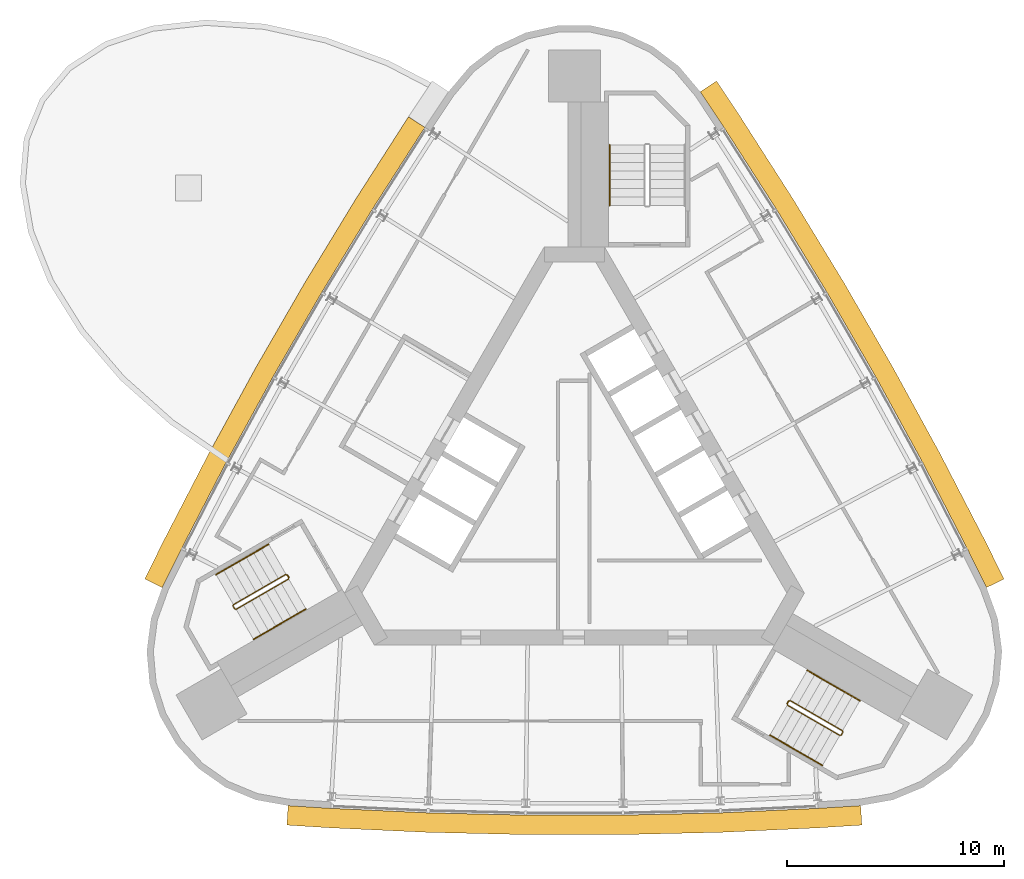
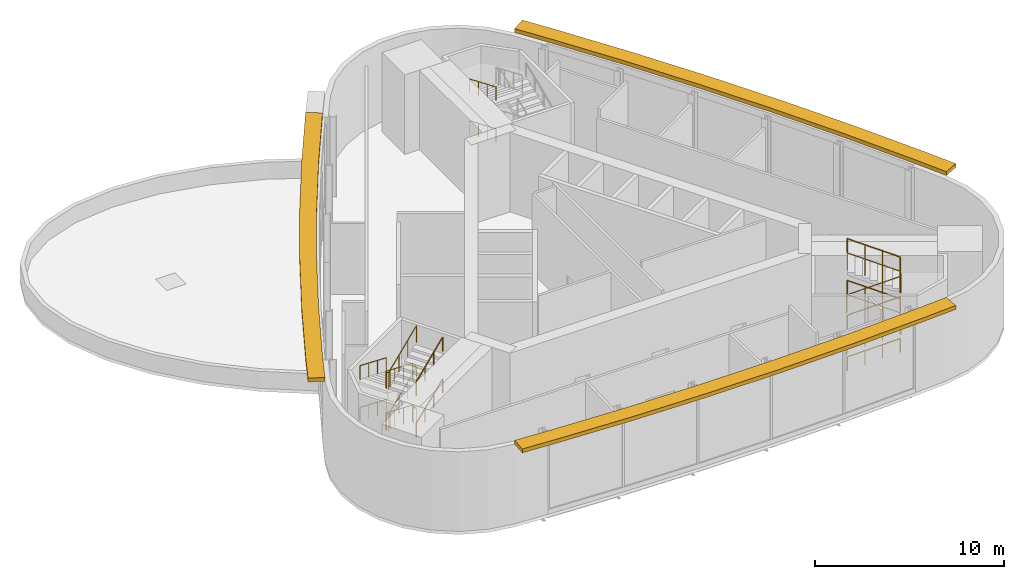
# One storey, part 7 of 8: 12 railings, 3 shading devices.
"""IFC4 building model written with IfcOpenShell, lengths in metres."""

from ifc_helpers import new_model, si_unit, direction, frame, origin, origin_2d, place, context, subcontext, project, spatial, polyline, circle, outline, extrude, material, type_object, element, save


model = new_model("IFC4")

# Units and contexts
model_context = context("Model", 3, precision=1e-05, world=origin(), true_north=direction((0.0, 1.0)))
body_context = subcontext(model_context, "Body", "Model", "MODEL_VIEW")
ifc_project = project(units=[si_unit("LENGTHUNIT", "METRE"), si_unit("AREAUNIT", "SQUARE_METRE"), si_unit("VOLUMEUNIT", "CUBIC_METRE"), si_unit("PLANEANGLEUNIT", "RADIAN"), si_unit("MASSUNIT", "GRAM", prefix="KILO")], contexts=[model_context])

# Site, building, storey
site_placement = place(None, origin())
site = spatial("IfcSite", under=ifc_project, at=site_placement, CompositionType="ELEMENT")
building_placement = place(site_placement, origin())
building = spatial("IfcBuilding", under=site, at=building_placement, Name="Noor Cloister Tower", CompositionType="ELEMENT")
storey_placement = place(building_placement, frame((0.0, 0.0, 274.199951171875)))
storey = spatial("IfcBuildingStorey", under=building, at=storey_placement, Name="L70", CompositionType="ELEMENT", Elevation=274.199951171875)

# Shading devices
ifc_material_1 = material(Name="Limestone", Category="masonry")
shading_device_type = type_object("IfcShadingDeviceType", Name="SUNSHADE limestone band 900", PredefinedType="USERDEFINED", material=ifc_material_1)
shading_device_1_placement = place(storey_placement, frame((0.0, 0.0, 5.150146484375)))
element("IfcShadingDevice", 1, at=shading_device_1_placement, inside=storey, type_object=shading_device_type, Name="SUNSHADE L70 1", ObjectType="SUNSHADE", PredefinedType="USERDEFINED", context=body_context, shape_type="SweptSolid", body=[
    extrude(outline(polyline([(-7.658935546875, 17.453125), (-10.0927734375, 13.656005859375), (-12.443359375, 9.794189453125), (-14.703857421875, 5.879150390625), (-16.872802734375, 1.91259765625), (-18.947998046875, -2.100341796875), (-19.827392578125, -3.873291015625), (-19.021240234375, -4.2734375), (-18.14501953125, -2.507080078125), (-16.078125, 1.489990234375), (-13.919189453125, 5.438232421875), (-11.669189453125, 9.335205078125), (-9.32958984375, 13.178955078125), (-6.9013671875, 16.967529296875), (-7.658935546875, 17.453125)])), origin(), (0.0, 0.0, 1.0), 0.25),
])
shading_device_2_placement = place(storey_placement, frame((0.0, 0.0, 5.150146484375)))
element("IfcShadingDevice", 2, at=shading_device_2_placement, inside=storey, type_object=shading_device_type, Name="SUNSHADE L70 2", ObjectType="SUNSHADE", PredefinedType="USERDEFINED", context=body_context, shape_type="SweptSolid", body=[
    extrude(outline(polyline([(-13.268310546875, -15.234375), (-11.29296875, -15.359130859375), (-6.780029296875, -15.568603515625), (-2.260498046875, -15.673583984375), (2.260498046875, -15.673583984375), (6.780029296875, -15.568603515625), (11.29296875, -15.359130859375), (13.268310546875, -15.234375), (13.21142578125, -14.336181640625), (11.24365234375, -14.46044921875), (6.74853515625, -14.669189453125), (2.25, -14.7734375), (-2.25, -14.7734375), (-6.74853515625, -14.669189453125), (-11.24365234375, -14.46044921875), (-13.21142578125, -14.336181640625), (-13.268310546875, -15.234375)])), origin(), (0.0, 0.0, 1.0), 0.25),
])
shading_device_3_placement = place(storey_placement, frame((0.0, 0.0, 5.150146484375)))
element("IfcShadingDevice", 3, at=shading_device_3_placement, inside=storey, type_object=shading_device_type, Name="SUNSHADE L70 3", ObjectType="SUNSHADE", PredefinedType="USERDEFINED", context=body_context, shape_type="SweptSolid", body=[
    extrude(outline(polyline([(19.827392578125, -3.873291015625), (18.947998046875, -2.100341796875), (16.872802734375, 1.91259765625), (14.703857421875, 5.879150390625), (12.443359375, 9.794189453125), (10.0927734375, 13.656005859375), (7.655029296875, 17.45947265625), (6.559326171875, 19.10791015625), (5.809814453125, 18.609619140625), (6.9013671875, 16.967529296875), (9.32958984375, 13.178955078125), (11.669189453125, 9.335205078125), (13.919189453125, 5.438232421875), (16.078125, 1.489990234375), (18.14501953125, -2.507080078125), (19.021240234375, -4.2734375), (19.827392578125, -3.873291015625)])), origin(), (0.0, 0.0, 1.0), 0.25),
])

# Railings
ifc_material_2 = material(Name="Stainless steel", Category="steel")
railing_type_1 = type_object("IfcRailingType", Name="Stair guard 1100", PredefinedType="GUARDRAIL", material=ifc_material_2)
railing_1_placement = place(storey_placement, frame((-13.241455078125, -3.677734375, 0.0)))
element("IfcRailing", 4, at=railing_1_placement, inside=storey, type_object=railing_type_1, Name="Stair guard ST2 L70", PredefinedType="GUARDRAIL", context=body_context, shape_type="SweptSolid", body=[
    extrude(circle(Radius=0.02392578125, at=origin_2d()), frame((0.0, 0.0, 1.076171875), z_axis=(0.499112439033, -0.866537231285, 0.0), x_axis=(0.866537231285, 0.499112439033, 0.0)), (0.0, 0.0, 1.0), 0.150146484375),
    extrude(circle(Radius=0.02392578125, at=origin_2d()), frame((0.074951171875, -0.130126953125, 1.076171875), z_axis=(-0.537989232676, 0.556319359854, 0.633305894001), x_axis=(-0.718850276695, -0.695164929852, 0.0)), (0.0, 0.0, 1.0), 0.266357421875),
    extrude(circle(Radius=0.02392578125, at=origin_2d()), frame((-0.068359375, 0.01806640625, 1.24462890625), z_axis=(-0.797913686838, -0.460656169989, 0.388753959989), x_axis=(0.49998411664, -0.866034573852, 0.0)), (0.0, 0.0, 1.0), 3.038818359375),
    extrude(circle(Radius=0.02392578125, at=origin_2d()), frame((-2.4931640625, -1.3818359375, 2.42626953125), z_axis=(-0.258736085224, -0.965948051503, 0.0), x_axis=(0.965948051503, -0.258736085224, 0.0)), (0.0, 0.0, 1.0), 0.07080078125),
    extrude(circle(Radius=0.02392578125, at=origin_2d()), frame((-2.511474609375, -1.4501953125, 2.42626953125), z_axis=(0.499816412211, -0.866131372301, 0.0), x_axis=(0.866131372301, 0.499816412211, 0.0)), (0.0, 0.0, 1.0), 0.14990234375),
    extrude(circle(Radius=0.02392578125, at=origin_2d()), frame((-2.4365234375, -1.580078125, 2.42626953125), z_axis=(0.373663631894, -0.100088472829, 0.922148462996), x_axis=(0.258736085224, 0.965948051503, 0.0)), (0.0, 0.0, 1.0), 0.182861328125),
    extrude(circle(Radius=0.02392578125, at=origin_2d()), frame((-2.3681640625, -1.598388671875, 2.5947265625), z_axis=(0.797909072615, 0.460733843279, 0.388671374679), x_axis=(-0.500049511043, 0.865996816683, 0.0)), (0.0, 0.0, 1.0), 3.0390625),
    extrude(circle(Radius=0.02392578125, at=origin_2d()), frame((0.056640625, -0.1982421875, 3.77587890625), z_axis=(-0.274721127897, 0.961523947641, 0.0), x_axis=(-0.961523947641, -0.274721127897, 0.0)), (0.0, 0.0, 1.0), 0.2060546875),
    extrude(circle(Radius=0.02392578125, at=origin_2d()), frame((0.0, 0.0, 3.77587890625), z_axis=(0.499112439033, -0.866537231285, 0.0), x_axis=(0.866537231285, 0.499112439033, 0.0)), (0.0, 0.0, 1.0), 0.150146484375),
    extrude(circle(Radius=0.02392578125, at=origin_2d()), frame((0.074951171875, -0.130126953125, 3.77587890625), z_axis=(-0.537677014239, 0.55599650365, 0.633854333651), x_axis=(-0.718850276695, -0.695164929852, 0.0)), (0.0, 0.0, 1.0), 0.2666015625),
    extrude(circle(Radius=0.02392578125, at=origin_2d()), frame((-0.068359375, 0.01806640625, 3.94482421875), z_axis=(-0.79793860554, -0.460670556199, 0.388685760532), x_axis=(0.49998411664, -0.866034573852, 0.0)), (0.0, 0.0, 1.0), 3.038818359375),
    extrude(circle(Radius=0.02392578125, at=origin_2d()), frame((-2.4931640625, -1.3818359375, 5.1259765625), z_axis=(-0.258736085224, -0.965948051503, 0.0), x_axis=(0.965948051503, -0.258736085224, 0.0)), (0.0, 0.0, 1.0), 0.07080078125),
    extrude(circle(Radius=0.02392578125, at=origin_2d()), frame((-2.511474609375, -1.4501953125, 5.1259765625), z_axis=(0.499816412211, -0.866131372301, 0.0), x_axis=(0.866131372301, 0.499816412211, 0.0)), (0.0, 0.0, 1.0), 0.14990234375),
    extrude(circle(Radius=0.02392578125, at=origin_2d()), frame((-2.4365234375, -1.580078125, 5.1259765625), z_axis=(0.373663631894, -0.100088472829, 0.922148462996), x_axis=(0.258736085224, 0.965948051503, 0.0)), (0.0, 0.0, 1.0), 0.182861328125),
    extrude(circle(Radius=0.02392578125, at=origin_2d()), frame((-2.3681640625, -1.598388671875, 5.294921875), z_axis=(0.79788415668, 0.460719456158, 0.388739572511), x_axis=(-0.500049511043, 0.865996816683, 0.0)), (0.0, 0.0, 1.0), 3.0390625),
    extrude(circle(Radius=0.02099609375, at=origin_2d()), origin(), (0.0, 0.0, 1.0), 1.052001953125),
    extrude(circle(Radius=0.02099609375, at=origin_2d()), frame((0.074951171875, -0.130126953125, 0.0)), (0.0, 0.0, 1.0), 1.052001953125),
    extrude(circle(Radius=0.02099609375, at=origin_2d()), frame((-0.068359375, 0.01806640625, 0.168701171875)), (0.0, 0.0, 1.0), 1.052001953125),
    extrude(circle(Radius=0.02099609375, at=origin_2d()), frame((-0.876708984375, -0.448486328125, 0.5625)), (0.0, 0.0, 1.0), 1.052001953125),
    extrude(circle(Radius=0.02099609375, at=origin_2d()), frame((-1.684814453125, -0.915283203125, 0.956298828125)), (0.0, 0.0, 1.0), 1.052001953125),
    extrude(circle(Radius=0.02099609375, at=origin_2d()), frame((-2.4931640625, -1.3818359375, 1.35009765625)), (0.0, 0.0, 1.0), 1.052001953125),
    extrude(circle(Radius=0.02099609375, at=origin_2d()), frame((-2.511474609375, -1.4501953125, 1.35009765625)), (0.0, 0.0, 1.0), 1.052001953125),
    extrude(circle(Radius=0.02099609375, at=origin_2d()), frame((-2.4365234375, -1.580078125, 1.35009765625)), (0.0, 0.0, 1.0), 1.052001953125),
    extrude(circle(Radius=0.02099609375, at=origin_2d()), frame((-2.3681640625, -1.598388671875, 1.518798828125)), (0.0, 0.0, 1.0), 1.052001953125),
    extrude(circle(Radius=0.02099609375, at=origin_2d()), frame((-1.559814453125, -1.131591796875, 1.91259765625)), (0.0, 0.0, 1.0), 1.052001953125),
    extrude(circle(Radius=0.02099609375, at=origin_2d()), frame((-0.751708984375, -0.6650390625, 2.30615234375)), (0.0, 0.0, 1.0), 1.052001953125),
    extrude(circle(Radius=0.02099609375, at=origin_2d()), frame((0.056640625, -0.1982421875, 2.699951171875)), (0.0, 0.0, 1.0), 1.052001953125),
    extrude(circle(Radius=0.02099609375, at=origin_2d()), frame((0.0, 0.0, 2.699951171875)), (0.0, 0.0, 1.0), 1.052001953125),
    extrude(circle(Radius=0.02099609375, at=origin_2d()), frame((0.074951171875, -0.130126953125, 2.699951171875)), (0.0, 0.0, 1.0), 1.052001953125),
    extrude(circle(Radius=0.02099609375, at=origin_2d()), frame((-0.068359375, 0.01806640625, 2.868896484375)), (0.0, 0.0, 1.0), 1.052001953125),
    extrude(circle(Radius=0.02099609375, at=origin_2d()), frame((-0.876708984375, -0.448486328125, 3.2626953125)), (0.0, 0.0, 1.0), 1.052001953125),
    extrude(circle(Radius=0.02099609375, at=origin_2d()), frame((-1.684814453125, -0.915283203125, 3.65625)), (0.0, 0.0, 1.0), 1.052001953125),
    extrude(circle(Radius=0.02099609375, at=origin_2d()), frame((-2.4931640625, -1.3818359375, 4.050048828125)), (0.0, 0.0, 1.0), 1.052001953125),
    extrude(circle(Radius=0.02099609375, at=origin_2d()), frame((-2.511474609375, -1.4501953125, 4.050048828125)), (0.0, 0.0, 1.0), 1.052001953125),
    extrude(circle(Radius=0.02099609375, at=origin_2d()), frame((-2.4365234375, -1.580078125, 4.050048828125)), (0.0, 0.0, 1.0), 1.052001953125),
    extrude(circle(Radius=0.02099609375, at=origin_2d()), frame((-2.3681640625, -1.598388671875, 4.21875)), (0.0, 0.0, 1.0), 1.052001953125),
    extrude(circle(Radius=0.02099609375, at=origin_2d()), frame((-1.559814453125, -1.131591796875, 4.612548828125)), (0.0, 0.0, 1.0), 1.052001953125),
    extrude(circle(Radius=0.02099609375, at=origin_2d()), frame((-0.751708984375, -0.6650390625, 5.00634765625)), (0.0, 0.0, 1.0), 1.052001953125),
    extrude(circle(Radius=0.02099609375, at=origin_2d()), frame((0.056640625, -0.1982421875, 5.400146484375)), (0.0, 0.0, 1.0), 1.052001953125),
])
railing_2_placement = place(storey_placement, frame((9.805908203125, -9.628662109375, 0.0)))
element("IfcRailing", 5, at=railing_2_placement, inside=storey, type_object=railing_type_1, Name="Stair guard ST3 L70", PredefinedType="GUARDRAIL", context=body_context, shape_type="SweptSolid", body=[
    extrude(circle(Radius=0.02392578125, at=origin_2d()), frame((0.0, 0.0, 1.076171875), z_axis=(0.499112439033, 0.866537231285, 0.0), x_axis=(-0.866537231285, 0.499112439033, 0.0)), (0.0, 0.0, 1.0), 0.150146484375),
    extrude(circle(Radius=0.02392578125, at=origin_2d()), frame((0.074951171875, 0.130126953125, 1.076171875), z_axis=(-0.212616081131, -0.744156283958, 0.633266000264), x_axis=(0.961523947641, -0.274721127897, 0.0)), (0.0, 0.0, 1.0), 0.266357421875),
    extrude(circle(Radius=0.02392578125, at=origin_2d()), frame((0.018310546875, -0.068115234375, 1.24462890625), z_axis=(0.79788415668, -0.460719456158, 0.388739572511), x_axis=(0.500049511043, 0.865996816683, 0.0)), (0.0, 0.0, 1.0), 3.0390625),
    extrude(circle(Radius=0.02392578125, at=origin_2d()), frame((2.443115234375, -1.46826171875, 2.42626953125), z_axis=(0.965948051503, 0.258736085224, 0.0), x_axis=(-0.258736085224, 0.965948051503, 0.0)), (0.0, 0.0, 1.0), 0.07080078125),
    extrude(circle(Radius=0.02392578125, at=origin_2d()), frame((2.511474609375, -1.449951171875, 2.42626953125), z_axis=(0.499816412211, 0.866131372301, 0.0), x_axis=(-0.866131372301, 0.499816412211, 0.0)), (0.0, 0.0, 1.0), 0.14990234375),
    extrude(circle(Radius=0.02392578125, at=origin_2d()), frame((2.58642578125, -1.320068359375, 2.42626953125), z_axis=(-0.100088472829, 0.373663631894, 0.922148462996), x_axis=(-0.965948051503, -0.258736085224, 0.0)), (0.0, 0.0, 1.0), 0.182861328125),
    extrude(circle(Radius=0.02392578125, at=origin_2d()), frame((2.568115234375, -1.251708984375, 2.5947265625), z_axis=(-0.79793860554, 0.460670556199, 0.388685760532), x_axis=(-0.49998411664, -0.866034573852, 0.0)), (0.0, 0.0, 1.0), 3.038818359375),
    extrude(circle(Radius=0.02392578125, at=origin_2d()), frame((0.143310546875, 0.148193359375, 3.77587890625), z_axis=(-0.695164929852, -0.718850276695, 0.0), x_axis=(0.718850276695, -0.695164929852, 0.0)), (0.0, 0.0, 1.0), 0.2060546875),
    extrude(circle(Radius=0.02392578125, at=origin_2d()), frame((0.0, 0.0, 3.77587890625), z_axis=(0.499112439033, 0.866537231285, 0.0), x_axis=(-0.866537231285, 0.499112439033, 0.0)), (0.0, 0.0, 1.0), 0.150146484375),
    extrude(circle(Radius=0.02392578125, at=origin_2d()), frame((0.074951171875, 0.130126953125, 3.77587890625), z_axis=(-0.212492706348, -0.743724472217, 0.633814451692), x_axis=(0.961523947641, -0.274721127897, 0.0)), (0.0, 0.0, 1.0), 0.2666015625),
    extrude(circle(Radius=0.02392578125, at=origin_2d()), frame((0.018310546875, -0.068115234375, 3.94482421875), z_axis=(0.797909072615, -0.460733843279, 0.388671374679), x_axis=(0.500049511043, 0.865996816683, 0.0)), (0.0, 0.0, 1.0), 3.0390625),
    extrude(circle(Radius=0.02392578125, at=origin_2d()), frame((2.443115234375, -1.46826171875, 5.1259765625), z_axis=(0.965948051503, 0.258736085224, 0.0), x_axis=(-0.258736085224, 0.965948051503, 0.0)), (0.0, 0.0, 1.0), 0.07080078125),
    extrude(circle(Radius=0.02392578125, at=origin_2d()), frame((2.511474609375, -1.449951171875, 5.1259765625), z_axis=(0.499816412211, 0.866131372301, 0.0), x_axis=(-0.866131372301, 0.499816412211, 0.0)), (0.0, 0.0, 1.0), 0.14990234375),
    extrude(circle(Radius=0.02392578125, at=origin_2d()), frame((2.58642578125, -1.320068359375, 5.1259765625), z_axis=(-0.100088472829, 0.373663631894, 0.922148462996), x_axis=(-0.965948051503, -0.258736085224, 0.0)), (0.0, 0.0, 1.0), 0.182861328125),
    extrude(circle(Radius=0.02392578125, at=origin_2d()), frame((2.568115234375, -1.251708984375, 5.294921875), z_axis=(-0.797913686838, 0.460656169989, 0.388753959989), x_axis=(-0.49998411664, -0.866034573852, 0.0)), (0.0, 0.0, 1.0), 3.038818359375),
    extrude(circle(Radius=0.02099609375, at=origin_2d()), origin(), (0.0, 0.0, 1.0), 1.052001953125),
    extrude(circle(Radius=0.02099609375, at=origin_2d()), frame((0.074951171875, 0.130126953125, 0.0)), (0.0, 0.0, 1.0), 1.052001953125),
    extrude(circle(Radius=0.02099609375, at=origin_2d()), frame((0.018310546875, -0.068115234375, 0.168701171875)), (0.0, 0.0, 1.0), 1.052001953125),
    extrude(circle(Radius=0.02099609375, at=origin_2d()), frame((0.82666015625, -0.534912109375, 0.5625)), (0.0, 0.0, 1.0), 1.052001953125),
    extrude(circle(Radius=0.02099609375, at=origin_2d()), frame((1.634765625, -1.00146484375, 0.956298828125)), (0.0, 0.0, 1.0), 1.052001953125),
    extrude(circle(Radius=0.02099609375, at=origin_2d()), frame((2.443115234375, -1.46826171875, 1.35009765625)), (0.0, 0.0, 1.0), 1.052001953125),
    extrude(circle(Radius=0.02099609375, at=origin_2d()), frame((2.511474609375, -1.449951171875, 1.35009765625)), (0.0, 0.0, 1.0), 1.052001953125),
    extrude(circle(Radius=0.02099609375, at=origin_2d()), frame((2.58642578125, -1.320068359375, 1.35009765625)), (0.0, 0.0, 1.0), 1.052001953125),
    extrude(circle(Radius=0.02099609375, at=origin_2d()), frame((2.568115234375, -1.251708984375, 1.518798828125)), (0.0, 0.0, 1.0), 1.052001953125),
    extrude(circle(Radius=0.02099609375, at=origin_2d()), frame((1.759765625, -0.78515625, 1.91259765625)), (0.0, 0.0, 1.0), 1.052001953125),
    extrude(circle(Radius=0.02099609375, at=origin_2d()), frame((0.95166015625, -0.318359375, 2.30615234375)), (0.0, 0.0, 1.0), 1.052001953125),
    extrude(circle(Radius=0.02099609375, at=origin_2d()), frame((0.143310546875, 0.148193359375, 2.699951171875)), (0.0, 0.0, 1.0), 1.052001953125),
    extrude(circle(Radius=0.02099609375, at=origin_2d()), frame((0.0, 0.0, 2.699951171875)), (0.0, 0.0, 1.0), 1.052001953125),
    extrude(circle(Radius=0.02099609375, at=origin_2d()), frame((0.074951171875, 0.130126953125, 2.699951171875)), (0.0, 0.0, 1.0), 1.052001953125),
    extrude(circle(Radius=0.02099609375, at=origin_2d()), frame((0.018310546875, -0.068115234375, 2.868896484375)), (0.0, 0.0, 1.0), 1.052001953125),
    extrude(circle(Radius=0.02099609375, at=origin_2d()), frame((0.82666015625, -0.534912109375, 3.2626953125)), (0.0, 0.0, 1.0), 1.052001953125),
    extrude(circle(Radius=0.02099609375, at=origin_2d()), frame((1.634765625, -1.00146484375, 3.65625)), (0.0, 0.0, 1.0), 1.052001953125),
    extrude(circle(Radius=0.02099609375, at=origin_2d()), frame((2.443115234375, -1.46826171875, 4.050048828125)), (0.0, 0.0, 1.0), 1.052001953125),
    extrude(circle(Radius=0.02099609375, at=origin_2d()), frame((2.511474609375, -1.449951171875, 4.050048828125)), (0.0, 0.0, 1.0), 1.052001953125),
    extrude(circle(Radius=0.02099609375, at=origin_2d()), frame((2.58642578125, -1.320068359375, 4.050048828125)), (0.0, 0.0, 1.0), 1.052001953125),
    extrude(circle(Radius=0.02099609375, at=origin_2d()), frame((2.568115234375, -1.251708984375, 4.21875)), (0.0, 0.0, 1.0), 1.052001953125),
    extrude(circle(Radius=0.02099609375, at=origin_2d()), frame((1.759765625, -0.78515625, 4.612548828125)), (0.0, 0.0, 1.0), 1.052001953125),
    extrude(circle(Radius=0.02099609375, at=origin_2d()), frame((0.95166015625, -0.318359375, 5.00634765625)), (0.0, 0.0, 1.0), 1.052001953125),
    extrude(circle(Radius=0.02099609375, at=origin_2d()), frame((0.143310546875, 0.148193359375, 5.400146484375)), (0.0, 0.0, 1.0), 1.052001953125),
])
ifc_material_3 = material(Name="Stainless steel", Category="steel")
railing_type_2 = type_object("IfcRailingType", Name="Stair handrail 900", PredefinedType="HANDRAIL", material=ifc_material_3)
railing_3_placement = place(storey_placement, frame((1.6357421875, 16.156494140625, 1.518798828125)))
element("IfcRailing", 6, at=railing_3_placement, inside=storey, type_object=railing_type_2, Name="Stair handrail ST1 L70 2", PredefinedType="HANDRAIL", context=body_context, shape_type="SweptSolid", body=[
    extrude(circle(Radius=0.02392578125, at=origin_2d()), frame((0.0, 0.0, 0.8759765625), z_axis=(0.0, -0.921378096441, 0.388667471495), x_axis=(1.0, 0.0, 0.0)), (0.0, 0.0, 1.0), 3.0390625),
    extrude(circle(Radius=0.02099609375, at=origin_2d()), origin(), (0.0, 0.0, 1.0), 0.851806640625),
    extrude(circle(Radius=0.02099609375, at=origin_2d()), frame((0.0, -0.933349609375, 0.393798828125)), (0.0, 0.0, 1.0), 0.851806640625),
    extrude(circle(Radius=0.02099609375, at=origin_2d()), frame((0.0, -1.86669921875, 0.787353515625)), (0.0, 0.0, 1.0), 0.851806640625),
    extrude(circle(Radius=0.02099609375, at=origin_2d()), frame((0.0, -2.800048828125, 1.18115234375)), (0.0, 0.0, 1.0), 0.851806640625),
])
railing_4_placement = place(storey_placement, frame((1.6357421875, 16.156494140625, 4.21875)))
element("IfcRailing", 7, at=railing_4_placement, inside=storey, type_object=railing_type_2, Name="Stair handrail ST1 L70 4", PredefinedType="HANDRAIL", context=body_context, shape_type="SweptSolid", body=[
    extrude(circle(Radius=0.02392578125, at=origin_2d()), frame((0.0, 0.0, 0.8759765625), z_axis=(0.0, -0.921349325574, 0.388735668886), x_axis=(1.0, 0.0, 0.0)), (0.0, 0.0, 1.0), 3.0390625),
    extrude(circle(Radius=0.02099609375, at=origin_2d()), origin(), (0.0, 0.0, 1.0), 0.851806640625),
    extrude(circle(Radius=0.02099609375, at=origin_2d()), frame((0.0, -0.933349609375, 0.393798828125)), (0.0, 0.0, 1.0), 0.851806640625),
    extrude(circle(Radius=0.02099609375, at=origin_2d()), frame((0.0, -1.86669921875, 0.78759765625)), (0.0, 0.0, 1.0), 0.851806640625),
    extrude(circle(Radius=0.02099609375, at=origin_2d()), frame((0.0, -2.800048828125, 1.181396484375)), (0.0, 0.0, 1.0), 0.851806640625),
])
railing_5_placement = place(storey_placement, frame((-14.10986328125, -2.27392578125, 0.168701171875)))
element("IfcRailing", 8, at=railing_5_placement, inside=storey, type_object=railing_type_2, Name="Stair handrail ST2 L70 1", PredefinedType="HANDRAIL", context=body_context, shape_type="SweptSolid", body=[
    extrude(circle(Radius=0.02392578125, at=origin_2d()), frame((0.0, 0.0, 0.8759765625), z_axis=(-0.797913686838, -0.460656169989, 0.388753959989), x_axis=(0.49998411664, -0.866034573852, 0.0)), (0.0, 0.0, 1.0), 3.038818359375),
    extrude(circle(Radius=0.02099609375, at=origin_2d()), origin(), (0.0, 0.0, 1.0), 0.851806640625),
    extrude(circle(Radius=0.02099609375, at=origin_2d()), frame((-0.808349609375, -0.466552734375, 0.393798828125)), (0.0, 0.0, 1.0), 0.851806640625),
    extrude(circle(Radius=0.02099609375, at=origin_2d()), frame((-1.616455078125, -0.933349609375, 0.78759765625)), (0.0, 0.0, 1.0), 0.851806640625),
    extrude(circle(Radius=0.02099609375, at=origin_2d()), frame((-2.4248046875, -1.39990234375, 1.181396484375)), (0.0, 0.0, 1.0), 0.851806640625),
])
railing_6_placement = place(storey_placement, frame((-14.8095703125, -6.66162109375, 1.518798828125)))
element("IfcRailing", 9, at=railing_6_placement, inside=storey, type_object=railing_type_2, Name="Stair handrail ST2 L70 2", PredefinedType="HANDRAIL", context=body_context, shape_type="SweptSolid", body=[
    extrude(circle(Radius=0.02392578125, at=origin_2d()), frame((0.0, 0.0, 0.8759765625), z_axis=(0.79793860554, 0.460670556199, 0.388685760532), x_axis=(-0.49998411664, 0.866034573852, 0.0)), (0.0, 0.0, 1.0), 3.038818359375),
    extrude(circle(Radius=0.02099609375, at=origin_2d()), origin(), (0.0, 0.0, 1.0), 0.851806640625),
    extrude(circle(Radius=0.02099609375, at=origin_2d()), frame((0.808349609375, 0.466552734375, 0.393798828125)), (0.0, 0.0, 1.0), 0.851806640625),
    extrude(circle(Radius=0.02099609375, at=origin_2d()), frame((1.616455078125, 0.933349609375, 0.787353515625)), (0.0, 0.0, 1.0), 0.851806640625),
    extrude(circle(Radius=0.02099609375, at=origin_2d()), frame((2.4248046875, 1.39990234375, 1.18115234375)), (0.0, 0.0, 1.0), 0.851806640625),
])
railing_7_placement = place(storey_placement, frame((-14.10986328125, -2.27392578125, 2.868896484375)))
element("IfcRailing", 10, at=railing_7_placement, inside=storey, type_object=railing_type_2, Name="Stair handrail ST2 L70 3", PredefinedType="HANDRAIL", context=body_context, shape_type="SweptSolid", body=[
    extrude(circle(Radius=0.02392578125, at=origin_2d()), frame((0.0, 0.0, 0.8759765625), z_axis=(-0.79793860554, -0.460670556199, 0.388685760532), x_axis=(0.49998411664, -0.866034573852, 0.0)), (0.0, 0.0, 1.0), 3.038818359375),
    extrude(circle(Radius=0.02099609375, at=origin_2d()), origin(), (0.0, 0.0, 1.0), 0.851806640625),
    extrude(circle(Radius=0.02099609375, at=origin_2d()), frame((-0.808349609375, -0.466552734375, 0.393798828125)), (0.0, 0.0, 1.0), 0.851806640625),
    extrude(circle(Radius=0.02099609375, at=origin_2d()), frame((-1.616455078125, -0.933349609375, 0.787353515625)), (0.0, 0.0, 1.0), 0.851806640625),
    extrude(circle(Radius=0.02099609375, at=origin_2d()), frame((-2.4248046875, -1.39990234375, 1.18115234375)), (0.0, 0.0, 1.0), 0.851806640625),
])
railing_8_placement = place(storey_placement, frame((-14.8095703125, -6.66162109375, 4.21875)))
element("IfcRailing", 11, at=railing_8_placement, inside=storey, type_object=railing_type_2, Name="Stair handrail ST2 L70 4", PredefinedType="HANDRAIL", context=body_context, shape_type="SweptSolid", body=[
    extrude(circle(Radius=0.02392578125, at=origin_2d()), frame((0.0, 0.0, 0.8759765625), z_axis=(0.797913686838, 0.460656169989, 0.388753959989), x_axis=(-0.49998411664, 0.866034573852, 0.0)), (0.0, 0.0, 1.0), 3.038818359375),
    extrude(circle(Radius=0.02099609375, at=origin_2d()), origin(), (0.0, 0.0, 1.0), 0.851806640625),
    extrude(circle(Radius=0.02099609375, at=origin_2d()), frame((0.808349609375, 0.466552734375, 0.393798828125)), (0.0, 0.0, 1.0), 0.851806640625),
    extrude(circle(Radius=0.02099609375, at=origin_2d()), frame((1.616455078125, 0.933349609375, 0.78759765625)), (0.0, 0.0, 1.0), 0.851806640625),
    extrude(circle(Radius=0.02099609375, at=origin_2d()), frame((2.4248046875, 1.39990234375, 1.181396484375)), (0.0, 0.0, 1.0), 0.851806640625),
])
railing_9_placement = place(storey_placement, frame((9.024169921875, -11.08251953125, 0.168701171875)))
element("IfcRailing", 12, at=railing_9_placement, inside=storey, type_object=railing_type_2, Name="Stair handrail ST3 L70 1", PredefinedType="HANDRAIL", context=body_context, shape_type="SweptSolid", body=[
    extrude(circle(Radius=0.02392578125, at=origin_2d()), frame((0.0, 0.0, 0.8759765625), z_axis=(0.797913686838, -0.460656169989, 0.388753959989), x_axis=(0.49998411664, 0.866034573852, 0.0)), (0.0, 0.0, 1.0), 3.038818359375),
    extrude(circle(Radius=0.02099609375, at=origin_2d()), origin(), (0.0, 0.0, 1.0), 0.851806640625),
    extrude(circle(Radius=0.02099609375, at=origin_2d()), frame((0.808349609375, -0.466552734375, 0.393798828125)), (0.0, 0.0, 1.0), 0.851806640625),
    extrude(circle(Radius=0.02099609375, at=origin_2d()), frame((1.616455078125, -0.933349609375, 0.78759765625)), (0.0, 0.0, 1.0), 0.851806640625),
    extrude(circle(Radius=0.02099609375, at=origin_2d()), frame((2.4248046875, -1.39990234375, 1.181396484375)), (0.0, 0.0, 1.0), 0.851806640625),
])
railing_10_placement = place(storey_placement, frame((13.174072265625, -9.49462890625, 1.518798828125)))
element("IfcRailing", 13, at=railing_10_placement, inside=storey, type_object=railing_type_2, Name="Stair handrail ST3 L70 2", PredefinedType="HANDRAIL", context=body_context, shape_type="SweptSolid", body=[
    extrude(circle(Radius=0.02392578125, at=origin_2d()), frame((0.0, 0.0, 0.8759765625), z_axis=(-0.79793860554, 0.460670556199, 0.388685760532), x_axis=(-0.49998411664, -0.866034573852, 0.0)), (0.0, 0.0, 1.0), 3.038818359375),
    extrude(circle(Radius=0.02099609375, at=origin_2d()), origin(), (0.0, 0.0, 1.0), 0.851806640625),
    extrude(circle(Radius=0.02099609375, at=origin_2d()), frame((-0.808349609375, 0.466552734375, 0.393798828125)), (0.0, 0.0, 1.0), 0.851806640625),
    extrude(circle(Radius=0.02099609375, at=origin_2d()), frame((-1.616455078125, 0.933349609375, 0.787353515625)), (0.0, 0.0, 1.0), 0.851806640625),
    extrude(circle(Radius=0.02099609375, at=origin_2d()), frame((-2.4248046875, 1.39990234375, 1.18115234375)), (0.0, 0.0, 1.0), 0.851806640625),
])
railing_11_placement = place(storey_placement, frame((9.024169921875, -11.08251953125, 2.868896484375)))
element("IfcRailing", 14, at=railing_11_placement, inside=storey, type_object=railing_type_2, Name="Stair handrail ST3 L70 3", PredefinedType="HANDRAIL", context=body_context, shape_type="SweptSolid", body=[
    extrude(circle(Radius=0.02392578125, at=origin_2d()), frame((0.0, 0.0, 0.8759765625), z_axis=(0.79793860554, -0.460670556199, 0.388685760532), x_axis=(0.49998411664, 0.866034573852, 0.0)), (0.0, 0.0, 1.0), 3.038818359375),
    extrude(circle(Radius=0.02099609375, at=origin_2d()), origin(), (0.0, 0.0, 1.0), 0.851806640625),
    extrude(circle(Radius=0.02099609375, at=origin_2d()), frame((0.808349609375, -0.466552734375, 0.393798828125)), (0.0, 0.0, 1.0), 0.851806640625),
    extrude(circle(Radius=0.02099609375, at=origin_2d()), frame((1.616455078125, -0.933349609375, 0.787353515625)), (0.0, 0.0, 1.0), 0.851806640625),
    extrude(circle(Radius=0.02099609375, at=origin_2d()), frame((2.4248046875, -1.39990234375, 1.18115234375)), (0.0, 0.0, 1.0), 0.851806640625),
])
railing_12_placement = place(storey_placement, frame((13.174072265625, -9.49462890625, 4.21875)))
element("IfcRailing", 15, at=railing_12_placement, inside=storey, type_object=railing_type_2, Name="Stair handrail ST3 L70 4", PredefinedType="HANDRAIL", context=body_context, shape_type="SweptSolid", body=[
    extrude(circle(Radius=0.02392578125, at=origin_2d()), frame((0.0, 0.0, 0.8759765625), z_axis=(-0.797913686838, 0.460656169989, 0.388753959989), x_axis=(-0.49998411664, -0.866034573852, 0.0)), (0.0, 0.0, 1.0), 3.038818359375),
    extrude(circle(Radius=0.02099609375, at=origin_2d()), origin(), (0.0, 0.0, 1.0), 0.851806640625),
    extrude(circle(Radius=0.02099609375, at=origin_2d()), frame((-0.808349609375, 0.466552734375, 0.393798828125)), (0.0, 0.0, 1.0), 0.851806640625),
    extrude(circle(Radius=0.02099609375, at=origin_2d()), frame((-1.616455078125, 0.933349609375, 0.78759765625)), (0.0, 0.0, 1.0), 0.851806640625),
    extrude(circle(Radius=0.02099609375, at=origin_2d()), frame((-2.4248046875, 1.39990234375, 1.181396484375)), (0.0, 0.0, 1.0), 0.851806640625),
])

save(model, "model.ifc")
